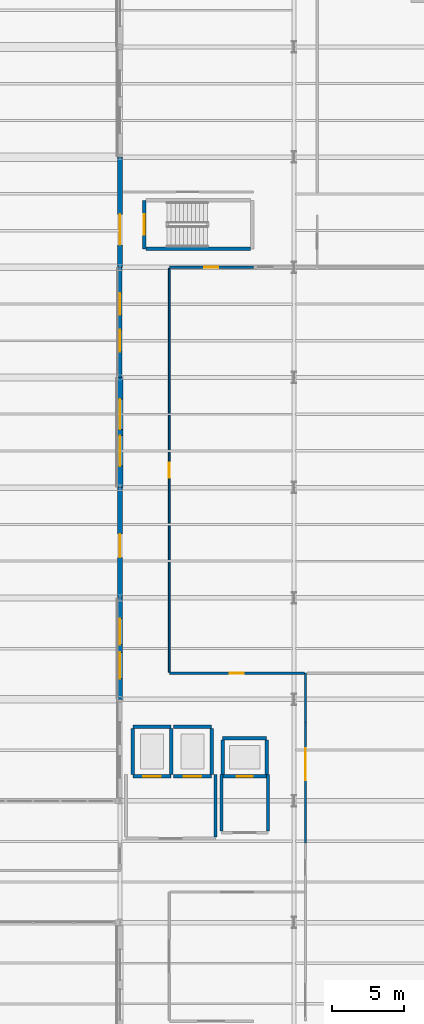
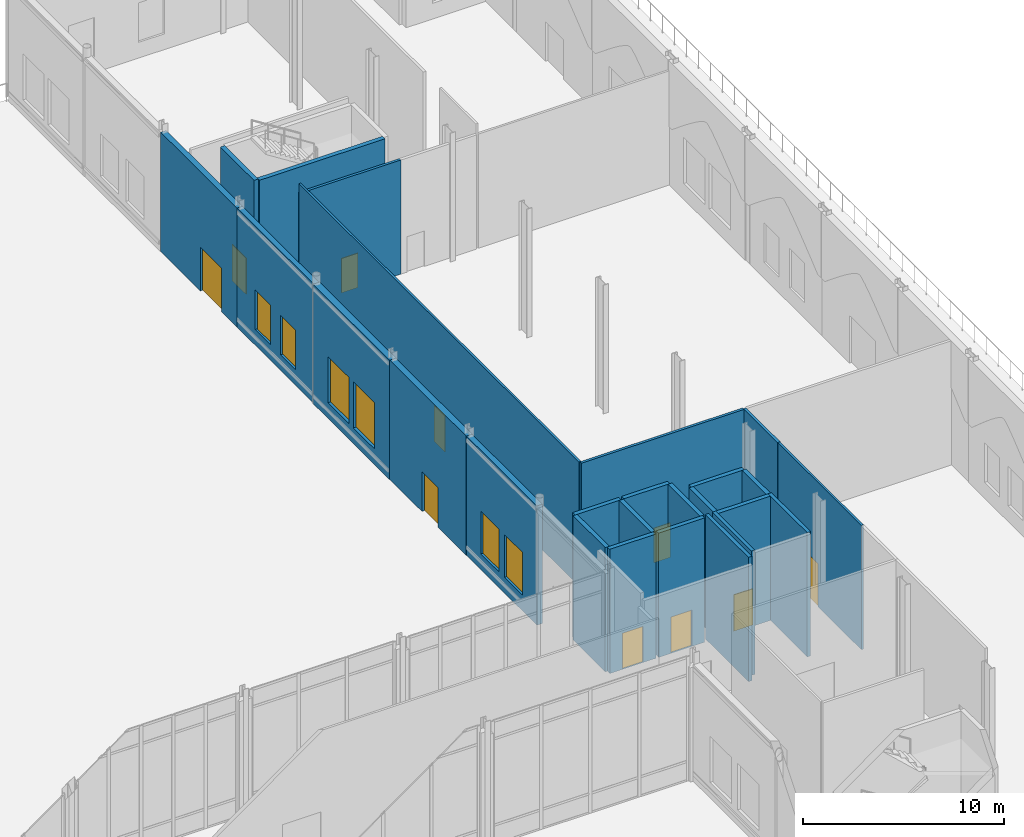
# One storey, part 146 of 176: 26 walls, 10 doors, 6 windows, 16 openings.
"""IFC4 building model written with IfcOpenShell, lengths in metres."""

from ifc_helpers import new_model, si_unit, direction, frame, frame_2d, origin, place, context, subcontext, project, spatial, rectangle, extrude, material, layer, layer_set, type_object, element, fill, save


model = new_model("IFC4")

# Units and contexts
model_context = context("Model", 3, precision=1e-05, world=origin(), true_north=direction((0.0, 1.0)))
body_context = subcontext(model_context, "Body", "Model", "MODEL_VIEW")
ifc_project = project(units=[si_unit("LENGTHUNIT", "METRE"), si_unit("AREAUNIT", "SQUARE_METRE"), si_unit("VOLUMEUNIT", "CUBIC_METRE"), si_unit("PLANEANGLEUNIT", "RADIAN"), si_unit("MASSUNIT", "GRAM", prefix="KILO")], contexts=[model_context])

# Site, building, storey
site_placement = place(None, origin())
site = spatial("IfcSite", under=ifc_project, at=site_placement, CompositionType="ELEMENT")
building_placement = place(site_placement, origin())
building = spatial("IfcBuilding", under=site, at=building_placement, Name="Vekula Escarpment Museum", CompositionType="ELEMENT")
storey_placement = place(building_placement, origin())
storey = spatial("IfcBuildingStorey", under=building, at=storey_placement, Name="L01", CompositionType="ELEMENT", Elevation=0.0)

# Wall, openings, windows
ifc_material_1 = material(Name="Inkisi arkosic sandstone masonry", Category="masonry")
ifc_layer_1 = layer(ifc_material_1, 0.300048828125)
ifc_layer_set_1 = layer_set([ifc_layer_1], Name="Inkisi arkosic sandstone masonry")
wall_type_1 = type_object("IfcWallType", Name="WL-ALM-300", PredefinedType="SOLIDWALL", material=ifc_layer_set_1)
wall_1_placement = place(storey_placement, frame((167.0, 105.60009765625, 0.0), z_axis=(0.0, 0.0, 1.0), x_axis=(0.0, 1.0, 0.0)))
wall_1 = element("IfcWall", 1, at=wall_1_placement, inside=storey, type_object=wall_type_1, Name="Exterior Wall WL-EXT-L01-0143", PredefinedType="SOLIDWALL", context=body_context, shape_type="SweptSolid", body=[
    extrude(rectangle(XDim=7.599853515625, YDim=0.300048828125, at=frame_2d((3.7998046875, 0.0))), origin(), (0.0, 0.0, 1.0), 7.235107421875),
])
opening_1_placement = place(wall_1_placement, frame((1.783203125, 0.0, 0.949951171875)))
opening_1 = element("IfcOpeningElement", 2, at=opening_1_placement, cuts=wall_1, Name="Opening WN-06", PredefinedType="OPENING", context=body_context, shape_type="SweptSolid", body=[
    extrude(rectangle(XDim=1.5, YDim=2.39990234375, at=frame_2d((0.75, 1.199951171875))), frame((0.0, 0.159912109375, 0.0), z_axis=(0.0, -1.0, 0.0), x_axis=(1.0, 0.0, 0.0)), (0.0, 0.0, 1.0), 0.320068359375),
])
opening_2_placement = place(wall_1_placement, frame((4.316650390625, 0.0, 0.949951171875)))
opening_2 = element("IfcOpeningElement", 3, at=opening_2_placement, cuts=wall_1, Name="Opening WN-06", PredefinedType="OPENING", context=body_context, shape_type="SweptSolid", body=[
    extrude(rectangle(XDim=1.5, YDim=2.39990234375, at=frame_2d((0.75, 1.199951171875))), frame((0.0, 0.159912109375, 0.0), z_axis=(0.0, -1.0, 0.0), x_axis=(1.0, 0.0, 0.0)), (0.0, 0.0, 1.0), 0.320068359375),
])
ifc_material_2 = material(Name="Double solar-control low-E glass", Category="glass")
window_type_1 = type_object("IfcWindowType", Name="WN-CUMBA-15x24", PartitioningType="SINGLE_PANEL", PredefinedType="WINDOW", material=ifc_material_2)
window_1_placement = place(opening_1_placement, origin())
window_1 = element("IfcWindow", 4, at=window_1_placement, inside=storey, type_object=window_type_1, Name="Window L01-0055", OverallHeight=2.39990234375, OverallWidth=1.5, PartitioningType="SINGLE_PANEL", PredefinedType="WINDOW", context=body_context, shape_type="SweptSolid", body=[
    extrude(rectangle(XDim=1.5, YDim=2.39990234375, at=frame_2d((0.75, 1.199951171875))), frame((0.0, 0.030029296875, 0.0), z_axis=(0.0, -1.0, 0.0), x_axis=(1.0, 0.0, 0.0)), (0.0, 0.0, 1.0), 0.06005859375),
])
fill(opening_1, window_1)
window_2_placement = place(opening_2_placement, origin())
window_2 = element("IfcWindow", 5, at=window_2_placement, inside=storey, type_object=window_type_1, Name="Window L01-0056", OverallHeight=2.39990234375, OverallWidth=1.5, PartitioningType="SINGLE_PANEL", PredefinedType="WINDOW", context=body_context, shape_type="SweptSolid", body=[
    extrude(rectangle(XDim=1.5, YDim=2.39990234375, at=frame_2d((0.75, 1.199951171875))), frame((0.0, 0.030029296875, 0.0), z_axis=(0.0, -1.0, 0.0), x_axis=(1.0, 0.0, 0.0)), (0.0, 0.0, 1.0), 0.06005859375),
])
fill(opening_2, window_2)

# Wall, opening, door
ifc_material_3 = material(Name="Inkisi arkosic sandstone masonry", Category="masonry")
ifc_layer_2 = layer(ifc_material_3, 0.320068359375)
ifc_layer_set_2 = layer_set([ifc_layer_2], Name="Inkisi arkosic sandstone masonry")
wall_type_2 = type_object("IfcWallType", Name="WL-ALM-320", PredefinedType="SOLIDWALL", material=ifc_layer_set_2)
wall_2_placement = place(storey_placement, frame((167.0, 113.199951171875, 0.0), z_axis=(0.0, 0.0, 1.0), x_axis=(0.0, 1.0, 0.0)))
wall_2 = element("IfcWall", 6, at=wall_2_placement, inside=storey, type_object=wall_type_2, Name="Exterior Wall WL-EXT-L01-0142", PredefinedType="SOLIDWALL", context=body_context, shape_type="SweptSolid", body=[
    extrude(rectangle(XDim=7.60009765625, YDim=0.320068359375, at=frame_2d((3.800048828125, 0.0))), origin(), (0.0, 0.0, 1.0), 7.235107421875),
])
opening_3_placement = place(wall_2_placement, frame((1.550048828125, 0.0, 0.0)))
opening_3 = element("IfcOpeningElement", 7, at=opening_3_placement, cuts=wall_2, Name="Opening D-EX23", PredefinedType="OPENING", context=body_context, shape_type="SweptSolid", body=[
    extrude(rectangle(XDim=2.10009765625, YDim=2.64990234375, at=frame_2d((1.050048828125, 1.324951171875))), frame((0.0, 0.169921875, 0.0), z_axis=(0.0, -1.0, 0.0), x_axis=(1.0, 0.0, 0.0)), (0.0, 0.0, 1.0), 0.340087890625),
])
ifc_material_4 = material(Name="Bronze-anodized glazed exit door", Category="aluminium")
door_type_1 = type_object("IfcDoorType", Name="DR-EX-2100x2650", OperationType="NOTDEFINED", PredefinedType="DOOR", material=ifc_material_4)
door_1_placement = place(opening_3_placement, origin())
door_1 = element("IfcDoor", 8, at=door_1_placement, inside=storey, type_object=door_type_1, Name="Northeast ST-05 Protected Exit Door D-EX23", OperationType="SINGLE_SWING_LEFT", OverallHeight=2.64990234375, OverallWidth=2.10009765625, PredefinedType="DOOR", context=body_context, shape_type="SweptSolid", body=[
    extrude(rectangle(XDim=2.10009765625, YDim=2.64990234375, at=frame_2d((1.050048828125, 1.324951171875))), frame((0.0, 0.02490234375, 0.0), z_axis=(0.0, -1.0, 0.0), x_axis=(1.0, 0.0, 0.0)), (0.0, 0.0, 1.0), 0.050048828125),
])
fill(opening_3, door_1)

# Wall, openings, windows
wall_3_placement = place(storey_placement, frame((167.0, 83.39990234375, 0.0), z_axis=(0.0, 0.0, 1.0), x_axis=(0.0, 1.0, 0.0)))
wall_3 = element("IfcWall", 9, at=wall_3_placement, inside=storey, type_object=wall_type_2, Name="Exterior Wall WL-EXT-L01-0146", PredefinedType="SOLIDWALL", context=body_context, shape_type="SweptSolid", body=[
    extrude(rectangle(XDim=7.0, YDim=0.320068359375, at=frame_2d((3.5, 0.0))), origin(), (0.0, 0.0, 1.0), 7.235107421875),
])
opening_4_placement = place(wall_3_placement, frame((1.433349609375, 0.0, 0.949951171875)))
opening_4 = element("IfcOpeningElement", 10, at=opening_4_placement, cuts=wall_3, Name="Opening WN-07", PredefinedType="OPENING", context=body_context, shape_type="SweptSolid", body=[
    extrude(rectangle(XDim=1.800048828125, YDim=2.60009765625, at=frame_2d((0.89990234375, 1.300048828125))), frame((0.0, 0.169921875, 0.0), z_axis=(0.0, -1.0, 0.0), x_axis=(1.0, 0.0, 0.0)), (0.0, 0.0, 1.0), 0.340087890625),
])
opening_5_placement = place(wall_3_placement, frame((3.7666015625, 0.0, 0.949951171875)))
opening_5 = element("IfcOpeningElement", 11, at=opening_5_placement, cuts=wall_3, Name="Opening WN-07", PredefinedType="OPENING", context=body_context, shape_type="SweptSolid", body=[
    extrude(rectangle(XDim=1.800048828125, YDim=2.60009765625, at=frame_2d((0.89990234375, 1.300048828125))), frame((0.0, 0.169921875, 0.0), z_axis=(0.0, -1.0, 0.0), x_axis=(1.0, 0.0, 0.0)), (0.0, 0.0, 1.0), 0.340087890625),
])
ifc_material_5 = material(Name="Double solar-control low-E glass", Category="glass")
window_type_2 = type_object("IfcWindowType", Name="WN-CUMBA-18x26", PartitioningType="DOUBLE_PANEL_VERTICAL", PredefinedType="WINDOW", material=ifc_material_5)
window_3_placement = place(opening_4_placement, origin())
window_3 = element("IfcWindow", 12, at=window_3_placement, inside=storey, type_object=window_type_2, Name="Window L01-0059", OverallHeight=2.60009765625, OverallWidth=1.800048828125, PartitioningType="SINGLE_PANEL", PredefinedType="WINDOW", context=body_context, shape_type="SweptSolid", body=[
    extrude(rectangle(XDim=1.800048828125, YDim=2.60009765625, at=frame_2d((0.89990234375, 1.300048828125))), frame((0.0, 0.030029296875, 0.0), z_axis=(0.0, -1.0, 0.0), x_axis=(1.0, 0.0, 0.0)), (0.0, 0.0, 1.0), 0.06005859375),
])
fill(opening_4, window_3)
window_4_placement = place(opening_5_placement, origin())
window_4 = element("IfcWindow", 13, at=window_4_placement, inside=storey, type_object=window_type_2, Name="Window L01-0060", OverallHeight=2.60009765625, OverallWidth=1.800048828125, PartitioningType="SINGLE_PANEL", PredefinedType="WINDOW", context=body_context, shape_type="SweptSolid", body=[
    extrude(rectangle(XDim=1.800048828125, YDim=2.60009765625, at=frame_2d((0.89990234375, 1.300048828125))), frame((0.0, 0.030029296875, 0.0), z_axis=(0.0, -1.0, 0.0), x_axis=(1.0, 0.0, 0.0)), (0.0, 0.0, 1.0), 0.06005859375),
])
fill(opening_5, window_4)

# Wall, opening, door
ifc_material_6 = material(Name="Inkisi arkosic sandstone masonry", Category="masonry")
ifc_layer_3 = layer(ifc_material_6, 0.35009765625)
ifc_layer_set_3 = layer_set([ifc_layer_3], Name="Inkisi arkosic sandstone masonry")
wall_type_3 = type_object("IfcWallType", Name="WL-ALM-350", PredefinedType="SOLIDWALL", material=ifc_layer_set_3)
wall_4_placement = place(storey_placement, frame((167.0, 90.39990234375, 0.0), z_axis=(0.0, 0.0, 1.0), x_axis=(0.0, 1.0, 0.0)))
wall_4 = element("IfcWall", 14, at=wall_4_placement, inside=storey, type_object=wall_type_3, Name="Exterior Wall WL-EXT-L01-0145", PredefinedType="SOLIDWALL", context=body_context, shape_type="SweptSolid", body=[
    extrude(rectangle(XDim=7.60009765625, YDim=0.35009765625, at=frame_2d((3.800048828125, 0.0))), origin(), (0.0, 0.0, 1.0), 7.235107421875),
])
opening_6_placement = place(wall_4_placement, frame((2.800048828125, 0.0, 0.0)))
opening_6 = element("IfcOpeningElement", 15, at=opening_6_placement, cuts=wall_4, Name="Opening D-CY08", PredefinedType="OPENING", context=body_context, shape_type="SweptSolid", body=[
    extrude(rectangle(XDim=1.60009765625, YDim=2.39990234375, at=frame_2d((0.800048828125, 1.199951171875))), frame((0.0, 0.18505859375, 0.0), z_axis=(0.0, -1.0, 0.0), x_axis=(1.0, 0.0, 0.0)), (0.0, 0.0, 1.0), 0.3701171875),
])
ifc_material_7 = material(Name="Thermally broken glazed terrace door", Category="steel")
door_type_2 = type_object("IfcDoorType", Name="DR-TER-1600x2400", OperationType="NOTDEFINED", PredefinedType="DOOR", material=ifc_material_7)
door_2_placement = place(opening_6_placement, origin())
door_2 = element("IfcDoor", 16, at=door_2_placement, inside=storey, type_object=door_type_2, Name="East Avlu Cloister Courtyard Door D-CY08", OperationType="SINGLE_SWING_RIGHT", OverallHeight=2.39990234375, OverallWidth=1.60009765625, PredefinedType="DOOR", context=body_context, shape_type="SweptSolid", body=[
    extrude(rectangle(XDim=1.60009765625, YDim=2.39990234375, at=frame_2d((0.800048828125, 1.199951171875))), frame((0.0, 0.02490234375, 0.0), z_axis=(0.0, -1.0, 0.0), x_axis=(1.0, 0.0, 0.0)), (0.0, 0.0, 1.0), 0.050048828125),
])
fill(opening_6, door_2)

# Wall, openings, windows
ifc_material_8 = material(Name="Inkisi arkosic sandstone masonry", Category="masonry")
ifc_layer_4 = layer(ifc_material_8, 0.3798828125)
ifc_layer_set_4 = layer_set([ifc_layer_4], Name="Inkisi arkosic sandstone masonry")
wall_type_4 = type_object("IfcWallType", Name="WL-ALM-380", PredefinedType="SOLIDWALL", material=ifc_layer_set_4)
wall_5_placement = place(storey_placement, frame((167.0, 98.0, 0.0), z_axis=(0.0, 0.0, 1.0), x_axis=(0.0, 1.0, 0.0)))
wall_5 = element("IfcWall", 17, at=wall_5_placement, inside=storey, type_object=wall_type_4, Name="Exterior Wall WL-EXT-L01-0144", PredefinedType="SOLIDWALL", context=body_context, shape_type="SweptSolid", body=[
    extrude(rectangle(XDim=7.60009765625, YDim=0.3798828125, at=frame_2d((3.800048828125, 0.0))), origin(), (0.0, 0.0, 1.0), 7.235107421875),
])
opening_7_placement = place(wall_5_placement, frame((1.4833984375, 0.0, 0.949951171875)))
opening_7 = element("IfcOpeningElement", 18, at=opening_7_placement, cuts=wall_5, Name="Opening WN-08", PredefinedType="OPENING", context=body_context, shape_type="SweptSolid", body=[
    extrude(rectangle(XDim=2.10009765625, YDim=2.800048828125, at=frame_2d((1.050048828125, 1.39990234375))), frame((0.0, 0.199951171875, 0.0), z_axis=(0.0, -1.0, 0.0), x_axis=(1.0, 0.0, 0.0)), (0.0, 0.0, 1.0), 0.39990234375),
])
opening_8_placement = place(wall_5_placement, frame((4.0166015625, 0.0, 0.949951171875)))
opening_8 = element("IfcOpeningElement", 19, at=opening_8_placement, cuts=wall_5, Name="Opening WN-08", PredefinedType="OPENING", context=body_context, shape_type="SweptSolid", body=[
    extrude(rectangle(XDim=2.10009765625, YDim=2.800048828125, at=frame_2d((1.050048828125, 1.39990234375))), frame((0.0, 0.199951171875, 0.0), z_axis=(0.0, -1.0, 0.0), x_axis=(1.0, 0.0, 0.0)), (0.0, 0.0, 1.0), 0.39990234375),
])
ifc_material_9 = material(Name="Double solar-control low-E glass", Category="glass")
window_type_3 = type_object("IfcWindowType", Name="WN-CUMBA-21x28", PartitioningType="DOUBLE_PANEL_VERTICAL", PredefinedType="WINDOW", material=ifc_material_9)
window_5_placement = place(opening_7_placement, origin())
window_5 = element("IfcWindow", 20, at=window_5_placement, inside=storey, type_object=window_type_3, Name="Window L01-0057", OverallHeight=2.800048828125, OverallWidth=2.10009765625, PartitioningType="SINGLE_PANEL", PredefinedType="WINDOW", context=body_context, shape_type="SweptSolid", body=[
    extrude(rectangle(XDim=2.10009765625, YDim=2.800048828125, at=frame_2d((1.050048828125, 1.39990234375))), frame((0.0, 0.030029296875, 0.0), z_axis=(0.0, -1.0, 0.0), x_axis=(1.0, 0.0, 0.0)), (0.0, 0.0, 1.0), 0.06005859375),
])
fill(opening_7, window_5)
window_6_placement = place(opening_8_placement, origin())
window_6 = element("IfcWindow", 21, at=window_6_placement, inside=storey, type_object=window_type_3, Name="Window L01-0058", OverallHeight=2.800048828125, OverallWidth=2.10009765625, PartitioningType="SINGLE_PANEL", PredefinedType="WINDOW", context=body_context, shape_type="SweptSolid", body=[
    extrude(rectangle(XDim=2.10009765625, YDim=2.800048828125, at=frame_2d((1.050048828125, 1.39990234375))), frame((0.0, 0.030029296875, 0.0), z_axis=(0.0, -1.0, 0.0), x_axis=(1.0, 0.0, 0.0)), (0.0, 0.0, 1.0), 0.06005859375),
])
fill(opening_8, window_6)

# Wall, opening, door
ifc_material_10 = material(Name="Concrete C35/45", Category="concrete")
ifc_layer_5 = layer(ifc_material_10, 0.25)
ifc_layer_set_5 = layer_set([ifc_layer_5], Name="Concrete C35/45")
wall_type_5 = type_object("IfcWallType", Name="WL-CORE-250", PredefinedType="SHEAR", material=ifc_layer_set_5)
wall_6_placement = place(storey_placement, frame((168.675048828125, 114.47509765625, 0.0), z_axis=(0.0, 0.0, 1.0), x_axis=(0.0, 1.0, 0.0)))
wall_6 = element("IfcWall", 22, at=wall_6_placement, inside=storey, type_object=wall_type_5, Name="Stair Core Wall ST-05 L01 W", PredefinedType="SHEAR", context=body_context, shape_type="SweptSolid", body=[
    extrude(rectangle(XDim=3.349853515625, YDim=0.25, at=frame_2d((1.6748046875, 0.0))), origin(), (0.0, 0.0, 1.0), 7.5400390625),
])
opening_9_placement = place(wall_6_placement, frame((0.97509765625, 0.0, 0.0)))
opening_9 = element("IfcOpeningElement", 23, at=opening_9_placement, cuts=wall_6, Name="Opening DR-FD60", PredefinedType="OPENING", context=body_context, shape_type="SweptSolid", body=[
    extrude(rectangle(XDim=1.39990234375, YDim=2.199951171875, at=frame_2d((0.699951171875, 1.10009765625))), frame((0.0, 0.135009765625, 0.0), z_axis=(0.0, -1.0, 0.0), x_axis=(1.0, 0.0, 0.0)), (0.0, 0.0, 1.0), 0.27001953125),
])
ifc_material_11 = material(Name="Fire-rated steel stair door", Category="steel")
door_type_3 = type_object("IfcDoorType", Name="DR-STAIR-1400x2200", OperationType="NOTDEFINED", PredefinedType="DOOR", material=ifc_material_11)
door_3_placement = place(opening_9_placement, origin())
door_3 = element("IfcDoor", 24, at=door_3_placement, inside=storey, type_object=door_type_3, Name="Protected Exit Stair Door ST-05 L01", OperationType="SINGLE_SWING_LEFT", OverallHeight=2.199951171875, OverallWidth=1.39990234375, PredefinedType="DOOR", context=body_context, shape_type="SweptSolid", body=[
    extrude(rectangle(XDim=1.39990234375, YDim=2.199951171875, at=frame_2d((0.699951171875, 1.10009765625))), frame((0.0, 0.02490234375, 0.0), z_axis=(0.0, -1.0, 0.0), x_axis=(1.0, 0.0, 0.0)), (0.0, 0.0, 1.0), 0.050048828125),
])
fill(opening_9, door_3)

# Walls
wall_7_placement = place(storey_placement, frame((168.803955078125, 114.47509765625, 0.0), z_axis=(0.0, 0.0, 1.0), x_axis=(1.0, 0.0, 0.0)))
element("IfcWall", 25, at=wall_7_placement, inside=storey, type_object=wall_type_5, Name="Stair Core Wall ST-05 L01 S", PredefinedType="SHEAR", context=body_context, shape_type="SweptSolid", body=[
    extrude(rectangle(XDim=7.192138671875, YDim=0.25, at=frame_2d((3.59619140625, 0.0))), origin(), (0.0, 0.0, 1.0), 7.5400390625),
])
ifc_material_12 = material(Name="Concrete C35/45", Category="concrete")
ifc_layer_6 = layer(ifc_material_12, 0.199951171875)
ifc_layer_set_6 = layer_set([ifc_layer_6], Name="Concrete C35/45")
wall_type_6 = type_object("IfcWallType", Name="WL-FFL-200", PredefinedType="PARTITIONING", material=ifc_layer_set_6)
wall_8_placement = place(storey_placement, frame((173.60009765625, 73.904052734375, 0.0), z_axis=(0.0, 0.0, 1.0), x_axis=(0.0, 1.0, 0.0)))
element("IfcWall", 26, at=wall_8_placement, inside=storey, type_object=wall_type_6, Name="Lift Lobby Wall LF-01 L01 E", PredefinedType="PARTITIONING", context=body_context, shape_type="SweptSolid", body=[
    extrude(rectangle(XDim=4.2958984375, YDim=0.199951171875, at=frame_2d((2.14794921875, 0.0))), origin(), (0.0, 0.0, 1.0), 7.5400390625),
])
for number, where, z_axis, x_axis, name in (
    (27, (174.0, 74.303955078125, 0.0), (0.0, 0.0, 1.0), (0.0, 1.0, 0.0), "Lift Lobby Wall LP-03 L01 W"),
    (28, (177.199951171875, 74.303955078125, 0.0), (0.0, 0.0, 1.0), (0.0, 1.0, 0.0), "Lift Lobby Wall LP-03 L01 E"),
):
    element("IfcWall", number, at=place(storey_placement, frame(where, z_axis=z_axis, x_axis=x_axis)), inside=storey, type_object=wall_type_6, Name=name, PredefinedType="PARTITIONING", context=body_context, shape_type="SweptSolid", body=[
        extrude(rectangle(XDim=3.89599609375, YDim=0.199951171875, at=frame_2d((1.947998046875, 0.0))), origin(), (0.0, 0.0, 1.0), 7.5400390625),
    ])

# Wall, opening, door
ifc_material_13 = material(Name="Lightweight studio partition", Category="gypsum")
ifc_layer_7 = layer(ifc_material_13, 0.1201171875)
ifc_layer_set_7 = layer_set([ifc_layer_7], Name="Lightweight studio partition")
wall_type_7 = type_object("IfcWallType", Name="WL-PART-120", PredefinedType="PARTITIONING", material=ifc_layer_set_7)
wall_9_placement = place(storey_placement, frame((179.800048828125, 73.5, 0.0), z_axis=(0.0, 0.0, 1.0), x_axis=(0.0, 1.0, 0.0)))
wall_9 = element("IfcWall", 29, at=wall_9_placement, inside=storey, type_object=wall_type_7, Name="Interior Partition WL-INT-L01-0069", PredefinedType="PARTITIONING", context=body_context, shape_type="SweptSolid", body=[
    extrude(rectangle(XDim=8.300048828125, YDim=0.1201171875, at=frame_2d((4.14990234375, 0.0))), origin(), (0.0, 0.0, 1.0), 7.5400390625),
])
opening_10_placement = place(wall_9_placement, frame((4.31005859375, 0.0, 0.0)))
opening_10 = element("IfcOpeningElement", 30, at=opening_10_placement, cuts=wall_9, Name="Opening DR-GL22", PredefinedType="OPENING", context=body_context, shape_type="SweptSolid", body=[
    extrude(rectangle(XDim=2.199951171875, YDim=2.60009765625, at=frame_2d((1.10009765625, 1.300048828125))), frame((0.0, 0.070068359375, 0.0), z_axis=(0.0, -1.0, 0.0), x_axis=(1.0, 0.0, 0.0)), (0.0, 0.0, 1.0), 0.14013671875),
])
ifc_material_14 = material(Name="Double acoustic timber gallery door", Category="wood")
door_type_4 = type_object("IfcDoorType", Name="DR-GAL-2200x2600", OperationType="NOTDEFINED", PredefinedType="DOOR", material=ifc_material_14)
door_4_placement = place(opening_10_placement, origin())
door_4 = element("IfcDoor", 31, at=door_4_placement, inside=storey, type_object=door_type_4, Name="Interior Door L01-064", OperationType="SINGLE_SWING_LEFT", OverallHeight=2.60009765625, OverallWidth=2.199951171875, PredefinedType="DOOR", context=body_context, shape_type="SweptSolid", body=[
    extrude(rectangle(XDim=2.199951171875, YDim=2.60009765625, at=frame_2d((1.10009765625, 1.300048828125))), frame((0.0, 0.02490234375, 0.0), z_axis=(0.0, -1.0, 0.0), x_axis=(1.0, 0.0, 0.0)), (0.0, 0.0, 1.0), 0.050048828125),
])
fill(opening_10, door_4)

wall_10_placement = place(storey_placement, frame((170.39990234375, 85.279052734375, 0.0), z_axis=(0.0, 0.0, 1.0), x_axis=(0.0, 1.0, 0.0)))
wall_10 = element("IfcWall", 32, at=wall_10_placement, inside=storey, type_object=wall_type_7, Name="Interior Partition WL-INT-L01-0072", PredefinedType="PARTITIONING", context=body_context, shape_type="SweptSolid", body=[
    extrude(rectangle(XDim=27.842041015625, YDim=0.1201171875, at=frame_2d((13.9208984375, 0.0))), origin(), (0.0, 0.0, 1.0), 7.5400390625),
])
opening_11_placement = place(wall_10_placement, frame((13.39599609375, 0.0, 0.0)))
opening_11 = element("IfcOpeningElement", 33, at=opening_11_placement, cuts=wall_10, Name="Opening DR-CR10", PredefinedType="OPENING", context=body_context, shape_type="SweptSolid", body=[
    extrude(rectangle(XDim=1.050048828125, YDim=2.199951171875, at=frame_2d((0.52490234375, 1.10009765625))), frame((0.0, 0.070068359375, 0.0), z_axis=(0.0, -1.0, 0.0), x_axis=(1.0, 0.0, 0.0)), (0.0, 0.0, 1.0), 0.14013671875),
])
ifc_material_15 = material(Name="Solid hardwood curatorial door", Category="wood")
door_type_5 = type_object("IfcDoorType", Name="DR-CUR-1050x2200", OperationType="NOTDEFINED", PredefinedType="DOOR", material=ifc_material_15)
door_5_placement = place(opening_11_placement, origin())
door_5 = element("IfcDoor", 34, at=door_5_placement, inside=storey, type_object=door_type_5, Name="Interior Door L01-066", OperationType="SINGLE_SWING_LEFT", OverallHeight=2.199951171875, OverallWidth=1.050048828125, PredefinedType="DOOR", context=body_context, shape_type="SweptSolid", body=[
    extrude(rectangle(XDim=1.050048828125, YDim=2.199951171875, at=frame_2d((0.52490234375, 1.10009765625))), frame((0.0, 0.02490234375, 0.0), z_axis=(0.0, -1.0, 0.0), x_axis=(1.0, 0.0, 0.0)), (0.0, 0.0, 1.0), 0.050048828125),
])
fill(opening_11, door_5)

ifc_material_16 = material(Name="Gypsum board dry-lined partition", Category="gypsum")
ifc_layer_8 = layer(ifc_material_16, 0.14990234375)
ifc_layer_set_8 = layer_set([ifc_layer_8], Name="Gypsum board dry-lined partition")
wall_type_8 = type_object("IfcWallType", Name="WL-PART-150", PredefinedType="PARTITIONING", material=ifc_layer_set_8)
wall_11_placement = place(storey_placement, frame((170.39990234375, 113.199951171875, 0.0), z_axis=(0.0, 0.0, 1.0), x_axis=(1.0, 0.0, 0.0)))
wall_11 = element("IfcWall", 35, at=wall_11_placement, inside=storey, type_object=wall_type_8, Name="Interior Partition WL-INT-L01-0011", PredefinedType="PARTITIONING", context=body_context, shape_type="SweptSolid", body=[
    extrude(rectangle(XDim=5.800048828125, YDim=0.14990234375, at=frame_2d((2.89990234375, 0.0))), origin(), (0.0, 0.0, 1.0), 6.925048828125),
])
opening_12_placement = place(wall_11_placement, frame((2.425048828125, 0.0, 0.0)))
opening_12 = element("IfcOpeningElement", 36, at=opening_12_placement, cuts=wall_11, Name="Opening DR-OF09", PredefinedType="OPENING", context=body_context, shape_type="SweptSolid", body=[
    extrude(rectangle(XDim=0.949951171875, YDim=2.10009765625, at=frame_2d((0.47509765625, 1.050048828125))), frame((0.0, 0.0849609375, 0.0), z_axis=(0.0, -1.0, 0.0), x_axis=(1.0, 0.0, 0.0)), (0.0, 0.0, 1.0), 0.169921875),
])
ifc_material_17 = material(Name="Solid core timber office door", Category="wood")
door_type_6 = type_object("IfcDoorType", Name="DR-OFF-0950x2100", OperationType="NOTDEFINED", PredefinedType="DOOR", material=ifc_material_17)
door_6_placement = place(opening_12_placement, origin())
door_6 = element("IfcDoor", 37, at=door_6_placement, inside=storey, type_object=door_type_6, Name="Interior Door L01-011", OperationType="SINGLE_SWING_RIGHT", OverallHeight=2.10009765625, OverallWidth=0.949951171875, PredefinedType="DOOR", context=body_context, shape_type="SweptSolid", body=[
    extrude(rectangle(XDim=0.949951171875, YDim=2.10009765625, at=frame_2d((0.47509765625, 1.050048828125))), frame((0.0, 0.02490234375, 0.0), z_axis=(0.0, -1.0, 0.0), x_axis=(1.0, 0.0, 0.0)), (0.0, 0.0, 1.0), 0.050048828125),
])
fill(opening_12, door_6)

wall_12_placement = place(storey_placement, frame((170.39990234375, 85.199951171875, 0.0), z_axis=(0.0, 0.0, 1.0), x_axis=(1.0, 0.0, 0.0)))
wall_12 = element("IfcWall", 38, at=wall_12_placement, inside=storey, type_object=wall_type_8, Name="Interior Partition WL-INT-L01-0071", PredefinedType="PARTITIONING", context=body_context, shape_type="SweptSolid", body=[
    extrude(rectangle(XDim=9.316162109375, YDim=0.14990234375, at=frame_2d((4.658203125, 0.0))), origin(), (0.0, 0.0, 1.0), 7.5400390625),
])
opening_13_placement = place(wall_12_placement, frame((4.18310546875, 0.0, 0.0)))
opening_13 = element("IfcOpeningElement", 39, at=opening_13_placement, cuts=wall_12, Name="Opening DR-OF09", PredefinedType="OPENING", context=body_context, shape_type="SweptSolid", body=[
    extrude(rectangle(XDim=0.949951171875, YDim=2.10009765625, at=frame_2d((0.47509765625, 1.050048828125))), frame((0.0, 0.0849609375, 0.0), z_axis=(0.0, -1.0, 0.0), x_axis=(1.0, 0.0, 0.0)), (0.0, 0.0, 1.0), 0.169921875),
])
door_7_placement = place(opening_13_placement, origin())
door_7 = element("IfcDoor", 40, at=door_7_placement, inside=storey, type_object=door_type_6, Name="Interior Door L01-065", OperationType="SINGLE_SWING_RIGHT", OverallHeight=2.10009765625, OverallWidth=0.949951171875, PredefinedType="DOOR", context=body_context, shape_type="SweptSolid", body=[
    extrude(rectangle(XDim=0.949951171875, YDim=2.10009765625, at=frame_2d((0.47509765625, 1.050048828125))), frame((0.0, 0.02490234375, 0.0), z_axis=(0.0, -1.0, 0.0), x_axis=(1.0, 0.0, 0.0)), (0.0, 0.0, 1.0), 0.050048828125),
])
fill(opening_13, door_7)

# Wall
ifc_material_18 = material(Name="Gypsum board gallery partition", Category="gypsum")
ifc_layer_9 = layer(ifc_material_18, 0.159912109375)
ifc_layer_set_9 = layer_set([ifc_layer_9], Name="Gypsum board gallery partition")
wall_type_9 = type_object("IfcWallType", Name="WL-PART-160", PredefinedType="PARTITIONING", material=ifc_layer_set_9)
wall_13_placement = place(storey_placement, frame((179.800048828125, 81.800048828125, 0.0), z_axis=(0.0, 0.0, 1.0), x_axis=(0.0, 1.0, 0.0)))
element("IfcWall", 41, at=wall_13_placement, inside=storey, type_object=wall_type_9, Name="Interior Partition WL-INT-L01-0070", PredefinedType="PARTITIONING", context=body_context, shape_type="SweptSolid", body=[
    extrude(rectangle(XDim=3.39990234375, YDim=0.159912109375, at=frame_2d((1.699951171875, 0.0))), origin(), (0.0, 0.0, 1.0), 7.5400390625),
])

# Wall, opening, door
ifc_material_19 = material(Name="Concrete C35/45", Category="concrete")
ifc_layer_10 = layer(ifc_material_19, 0.239990234375)
ifc_layer_set_10 = layer_set([ifc_layer_10], Name="Concrete C35/45")
wall_type_10 = type_object("IfcWallType", Name="WL-SHF-240", PredefinedType="SHEAR", material=ifc_layer_set_10)
wall_14_placement = place(storey_placement, frame((167.8798828125, 78.080078125, 0.0), z_axis=(0.0, 0.0, 1.0), x_axis=(1.0, 0.0, 0.0)))
wall_14 = element("IfcWall", 42, at=wall_14_placement, inside=storey, type_object=wall_type_10, Name="Lift Shaft Wall LF-01 L01 S", PredefinedType="SHEAR", context=body_context, shape_type="SweptSolid", body=[
    extrude(rectangle(XDim=2.64013671875, YDim=0.239990234375, at=frame_2d((1.320068359375, 0.0))), origin(), (0.0, 0.0, 1.0), 7.5400390625),
])
opening_14_placement = place(wall_14_placement, frame((0.719970703125, 0.0, 0.0)))
opening_14 = element("IfcOpeningElement", 43, at=opening_14_placement, cuts=wall_14, Name="Opening LD-FF", PredefinedType="OPENING", context=body_context, shape_type="SweptSolid", body=[
    extrude(rectangle(XDim=1.199951171875, YDim=2.199951171875, at=frame_2d((0.60009765625, 1.10009765625))), frame((0.0, 0.1298828125, 0.0), z_axis=(0.0, -1.0, 0.0), x_axis=(1.0, 0.0, 0.0)), (0.0, 0.0, 1.0), 0.260009765625),
])
ifc_material_20 = material(Name="Fire-rated stainless steel sliding lift landing door", Category="steel")
door_type_7 = type_object("IfcDoorType", Name="DR-LD-FF-1200", OperationType="DOUBLE_DOOR_SLIDING", PredefinedType="DOOR", material=ifc_material_20)
door_8_placement = place(opening_14_placement, origin())
door_8 = element("IfcDoor", 44, at=door_8_placement, inside=storey, type_object=door_type_7, Name="Sliding Lift Landing Door LF-01 L01", OperationType="DOUBLE_DOOR_SLIDING", OverallHeight=2.199951171875, OverallWidth=1.199951171875, PredefinedType="DOOR", context=body_context, shape_type="SweptSolid", body=[
    extrude(rectangle(XDim=1.199951171875, YDim=2.199951171875, at=frame_2d((0.60009765625, 1.10009765625))), frame((0.0, 0.02490234375, 0.0), z_axis=(0.0, -1.0, 0.0), x_axis=(1.0, 0.0, 0.0)), (0.0, 0.0, 1.0), 0.050048828125),
])
fill(opening_14, door_8)

# Walls
wall_15_placement = place(storey_placement, frame((167.8798828125, 81.52001953125, 0.0), z_axis=(0.0, 0.0, 1.0), x_axis=(1.0, 0.0, 0.0)))
element("IfcWall", 45, at=wall_15_placement, inside=storey, type_object=wall_type_10, Name="Lift Shaft Wall LF-01 L01 N", PredefinedType="SHEAR", context=body_context, shape_type="SweptSolid", body=[
    extrude(rectangle(XDim=2.64013671875, YDim=0.239990234375, at=frame_2d((1.320068359375, 0.0))), origin(), (0.0, 0.0, 1.0), 7.5400390625),
])
for number, where, z_axis, x_axis, name in (
    (46, (167.8798828125, 78.2041015625, 0.0), (0.0, 0.0, 1.0), (0.0, 1.0, 0.0), "Lift Shaft Wall LF-01 L01 W"),
    (47, (170.52001953125, 78.2041015625, 0.0), (0.0, 0.0, 1.0), (0.0, 1.0, 0.0), "Lift Shaft Wall LF-01 L01 E"),
):
    element("IfcWall", number, at=place(storey_placement, frame(where, z_axis=z_axis, x_axis=x_axis)), inside=storey, type_object=wall_type_10, Name=name, PredefinedType="SHEAR", context=body_context, shape_type="SweptSolid", body=[
        extrude(rectangle(XDim=3.19189453125, YDim=0.239990234375, at=frame_2d((1.595947265625, 0.0))), origin(), (0.0, 0.0, 1.0), 7.5400390625),
    ])

# Wall, opening, door
wall_16_placement = place(storey_placement, frame((170.679931640625, 78.080078125, 0.0), z_axis=(0.0, 0.0, 1.0), x_axis=(1.0, 0.0, 0.0)))
wall_16 = element("IfcWall", 48, at=wall_16_placement, inside=storey, type_object=wall_type_10, Name="Lift Shaft Wall LF-02 L01 S", PredefinedType="SHEAR", context=body_context, shape_type="SweptSolid", body=[
    extrude(rectangle(XDim=2.64013671875, YDim=0.239990234375, at=frame_2d((1.320068359375, 0.0))), origin(), (0.0, 0.0, 1.0), 7.5400390625),
])
opening_15_placement = place(wall_16_placement, frame((0.719970703125, 0.0, 0.0)))
opening_15 = element("IfcOpeningElement", 49, at=opening_15_placement, cuts=wall_16, Name="Opening LD-FF", PredefinedType="OPENING", context=body_context, shape_type="SweptSolid", body=[
    extrude(rectangle(XDim=1.199951171875, YDim=2.199951171875, at=frame_2d((0.60009765625, 1.10009765625))), frame((0.0, 0.1298828125, 0.0), z_axis=(0.0, -1.0, 0.0), x_axis=(1.0, 0.0, 0.0)), (0.0, 0.0, 1.0), 0.260009765625),
])
door_9_placement = place(opening_15_placement, origin())
door_9 = element("IfcDoor", 50, at=door_9_placement, inside=storey, type_object=door_type_7, Name="Sliding Lift Landing Door LF-02 L01", OperationType="DOUBLE_DOOR_SLIDING", OverallHeight=2.199951171875, OverallWidth=1.199951171875, PredefinedType="DOOR", context=body_context, shape_type="SweptSolid", body=[
    extrude(rectangle(XDim=1.199951171875, YDim=2.199951171875, at=frame_2d((0.60009765625, 1.10009765625))), frame((0.0, 0.02490234375, 0.0), z_axis=(0.0, -1.0, 0.0), x_axis=(1.0, 0.0, 0.0)), (0.0, 0.0, 1.0), 0.050048828125),
])
fill(opening_15, door_9)

# Walls
wall_17_placement = place(storey_placement, frame((170.679931640625, 81.52001953125, 0.0), z_axis=(0.0, 0.0, 1.0), x_axis=(1.0, 0.0, 0.0)))
element("IfcWall", 51, at=wall_17_placement, inside=storey, type_object=wall_type_10, Name="Lift Shaft Wall LF-02 L01 N", PredefinedType="SHEAR", context=body_context, shape_type="SweptSolid", body=[
    extrude(rectangle(XDim=2.64013671875, YDim=0.239990234375, at=frame_2d((1.320068359375, 0.0))), origin(), (0.0, 0.0, 1.0), 7.5400390625),
])
wall_18_placement = place(storey_placement, frame((173.320068359375, 78.2041015625, 0.0), z_axis=(0.0, 0.0, 1.0), x_axis=(0.0, 1.0, 0.0)))
element("IfcWall", 52, at=wall_18_placement, inside=storey, type_object=wall_type_10, Name="Lift Shaft Wall LF-02 L01 E", PredefinedType="SHEAR", context=body_context, shape_type="SweptSolid", body=[
    extrude(rectangle(XDim=3.19189453125, YDim=0.239990234375, at=frame_2d((1.595947265625, 0.0))), origin(), (0.0, 0.0, 1.0), 7.5400390625),
])

# Wall, opening, door
wall_19_placement = place(storey_placement, frame((174.080078125, 78.080078125, 0.0), z_axis=(0.0, 0.0, 1.0), x_axis=(1.0, 0.0, 0.0)))
wall_19 = element("IfcWall", 53, at=wall_19_placement, inside=storey, type_object=wall_type_10, Name="Lift Shaft Wall LP-03 L01 S", PredefinedType="SHEAR", context=body_context, shape_type="SweptSolid", body=[
    extrude(rectangle(XDim=3.0400390625, YDim=0.239990234375, at=frame_2d((1.52001953125, 0.0))), origin(), (0.0, 0.0, 1.0), 7.5400390625),
])
opening_16_placement = place(wall_19_placement, frame((0.969970703125, 0.0, 0.0)))
opening_16 = element("IfcOpeningElement", 54, at=opening_16_placement, cuts=wall_19, Name="Opening LD-PAX", PredefinedType="OPENING", context=body_context, shape_type="SweptSolid", body=[
    extrude(rectangle(XDim=1.10009765625, YDim=2.199951171875, at=frame_2d((0.550048828125, 1.10009765625))), frame((0.0, 0.1298828125, 0.0), z_axis=(0.0, -1.0, 0.0), x_axis=(1.0, 0.0, 0.0)), (0.0, 0.0, 1.0), 0.260009765625),
])
ifc_material_21 = material(Name="Brushed stainless steel sliding lift landing door", Category="steel")
door_type_8 = type_object("IfcDoorType", Name="DR-LD-PAX-1100", OperationType="DOUBLE_DOOR_SLIDING", PredefinedType="DOOR", material=ifc_material_21)
door_10_placement = place(opening_16_placement, origin())
door_10 = element("IfcDoor", 55, at=door_10_placement, inside=storey, type_object=door_type_8, Name="Sliding Lift Landing Door LP-03 L01", OperationType="DOUBLE_DOOR_SLIDING", OverallHeight=2.199951171875, OverallWidth=1.10009765625, PredefinedType="DOOR", context=body_context, shape_type="SweptSolid", body=[
    extrude(rectangle(XDim=1.10009765625, YDim=2.199951171875, at=frame_2d((0.550048828125, 1.10009765625))), frame((0.0, 0.02490234375, 0.0), z_axis=(0.0, -1.0, 0.0), x_axis=(1.0, 0.0, 0.0)), (0.0, 0.0, 1.0), 0.050048828125),
])
fill(opening_16, door_10)

# Walls
wall_20_placement = place(storey_placement, frame((174.080078125, 80.719970703125, 0.0), z_axis=(0.0, 0.0, 1.0), x_axis=(1.0, 0.0, 0.0)))
element("IfcWall", 56, at=wall_20_placement, inside=storey, type_object=wall_type_10, Name="Lift Shaft Wall LP-03 L01 N", PredefinedType="SHEAR", context=body_context, shape_type="SweptSolid", body=[
    extrude(rectangle(XDim=3.0400390625, YDim=0.239990234375, at=frame_2d((1.52001953125, 0.0))), origin(), (0.0, 0.0, 1.0), 7.5400390625),
])
for number, where, z_axis, x_axis, name in (
    (57, (174.080078125, 78.2041015625, 0.0), (0.0, 0.0, 1.0), (0.0, 1.0, 0.0), "Lift Shaft Wall LP-03 L01 W"),
    (58, (177.1201171875, 78.2041015625, 0.0), (0.0, 0.0, 1.0), (0.0, 1.0, 0.0), "Lift Shaft Wall LP-03 L01 E"),
):
    element("IfcWall", number, at=place(storey_placement, frame(where, z_axis=z_axis, x_axis=x_axis)), inside=storey, type_object=wall_type_10, Name=name, PredefinedType="SHEAR", context=body_context, shape_type="SweptSolid", body=[
        extrude(rectangle(XDim=2.391845703125, YDim=0.239990234375, at=frame_2d((1.19580078125, 0.0))), origin(), (0.0, 0.0, 1.0), 7.5400390625),
    ])

save(model, "model.ifc")
